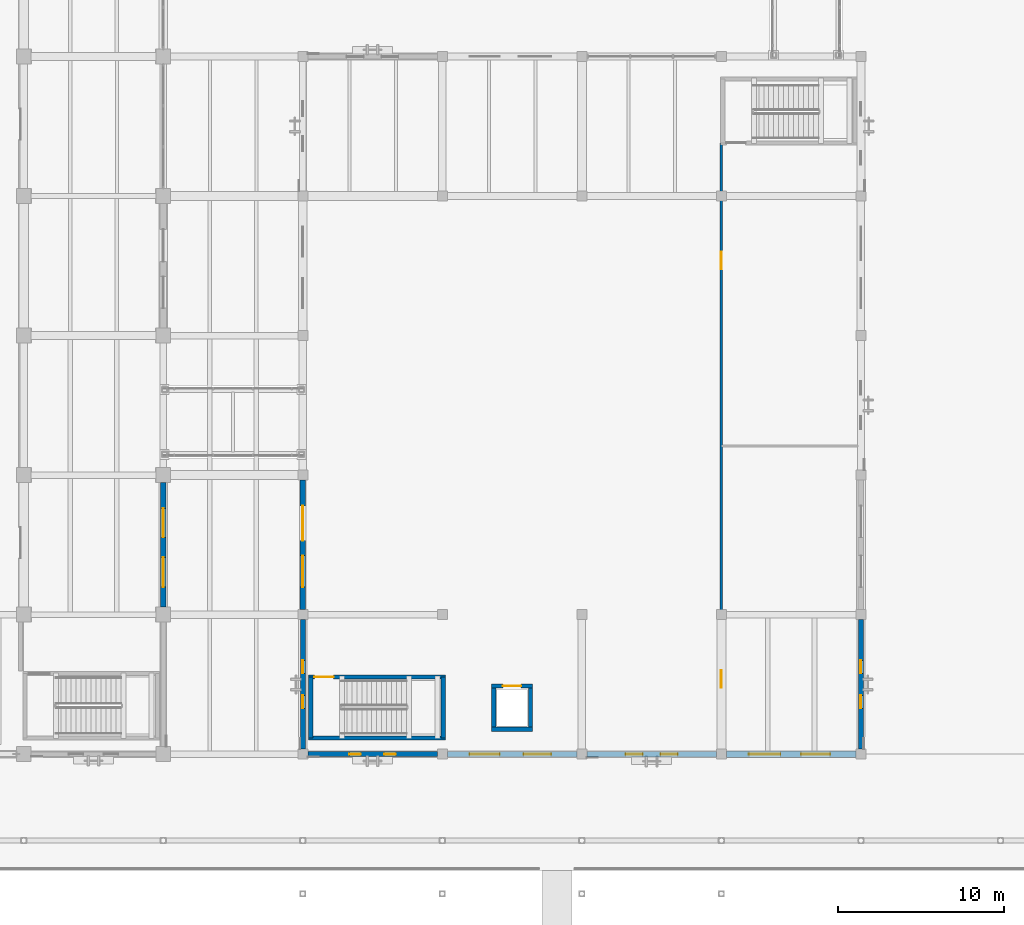
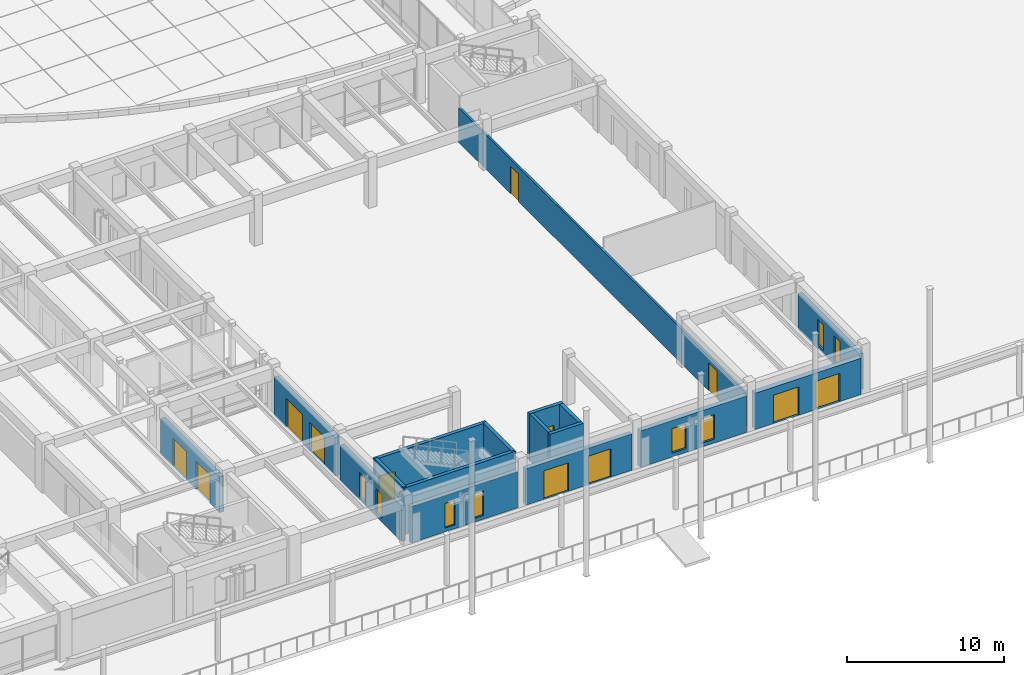
# One storey, part 86 of 135: 17 walls, 12 doors, 8 windows, 20 openings.
"""IFC4 building model written with IfcOpenShell, lengths in metres."""

import ifcopenshell
import ifcopenshell.guid

model = None  # the IFC model being written
_history = None  # IfcOwnerHistory: only IFC2X3 demands one
_inside = {}  # id of a spatial element -> (the spatial element, [elements in it])
_under = {}  # id of a project, library or spatial element -> (it, [spatial elements below it])
_declared = {}  # id of a project -> (the project, [libraries it declares])
_typed = {}  # id of a type object -> (the type object, [elements of that type])
_made_of = {}  # id of a material, layer set ... -> (it, [elements and type objects made of it])


def new_model(schema):
    """Start an empty IFC model of exactly this schema.

    Asked for "IFC4X3", IfcOpenShell would pick the latest addendum, in which some entities
    have other attributes; the version numbers below select the first issue.
    IFC2X3 requires an IfcOwnerHistory on every rooted entity: one is made here for all.
    """
    global model, _history
    if schema == "IFC4X3":
        model = ifcopenshell.file(schema_version=(4, 3, 0, 0))
    else:
        model = ifcopenshell.file(schema=schema)
    _inside.clear()
    _under.clear()
    _declared.clear()
    _typed.clear()
    _made_of.clear()
    _history = None
    if model.schema == "IFC2X3":
        org = make("IfcOrganization", Name="unknown")
        user = make(
            "IfcPersonAndOrganization",
            ThePerson=make("IfcPerson", FamilyName="unknown"),
            TheOrganization=org,
        )
        app = make(
            "IfcApplication",
            ApplicationDeveloper=org,
            Version="unknown",
            ApplicationFullName="unknown",
            ApplicationIdentifier="unknown",
        )
        _history = make(
            "IfcOwnerHistory",
            OwningUser=user,
            OwningApplication=app,
            ChangeAction="ADDED",
            CreationDate=0,
        )
    return model


def make(cls, **values):
    """One entity of the class cls with the attributes given. An attribute that is None is left unset."""
    return model.create_entity(
        cls, **{name: value for name, value in values.items() if value is not None}
    )


def rooted(cls, **values):
    """An entity with a GlobalId (a new one), such as an element, a storey or a relation."""
    return make(cls, GlobalId=ifcopenshell.guid.new(), OwnerHistory=_history, **values)


def si_unit(unit_type, name, prefix=None):
    """IfcSIUnit, for example si_unit("LENGTHUNIT", "METRE", prefix="MILLI")."""
    return make("IfcSIUnit", UnitType=unit_type, Prefix=prefix, Name=name)


def assignment(units):
    """IfcUnitAssignment: the units of a project."""
    return None if units is None else make("IfcUnitAssignment", Units=units)


def point(xyz):
    """IfcCartesianPoint."""
    return None if xyz is None else make("IfcCartesianPoint", Coordinates=xyz)


def direction(xyz):
    """IfcDirection."""
    return None if xyz is None else make("IfcDirection", DirectionRatios=xyz)


def frame(location, z_axis=None, x_axis=None):
    """IfcAxis2Placement3D, a coordinate frame: its origin and axes. An axis left out is left unset."""
    return make(
        "IfcAxis2Placement3D",
        Location=point(location),
        Axis=direction(z_axis),
        RefDirection=direction(x_axis),
    )


def frame_2d(location, x_axis=None):
    """IfcAxis2Placement2D, a coordinate frame in the plane: its origin and x axis."""
    return make(
        "IfcAxis2Placement2D", Location=point(location), RefDirection=direction(x_axis)
    )


def origin():
    """The frame at (0, 0, 0) with its axes left unset."""
    return frame((0.0, 0.0, 0.0))


def place(relative_to, where):
    """IfcLocalPlacement: puts the frame where relative to a parent placement (None: the world)."""
    return make(
        "IfcLocalPlacement", PlacementRelTo=relative_to, RelativePlacement=where
    )


def context(
    kind, dimensions, precision=None, world=None, true_north=None, identifier=None
):
    """IfcGeometricRepresentationContext, for example the 3D "Model" context."""
    return make(
        "IfcGeometricRepresentationContext",
        ContextIdentifier=identifier,
        ContextType=kind,
        CoordinateSpaceDimension=dimensions,
        Precision=precision,
        WorldCoordinateSystem=world,
        TrueNorth=true_north,
    )


def subcontext(parent, identifier, kind, view, scale=None):
    """IfcGeometricRepresentationSubContext, for example "Body" below "Model"."""
    return make(
        "IfcGeometricRepresentationSubContext",
        ContextIdentifier=identifier,
        ContextType=kind,
        ParentContext=parent,
        TargetScale=scale,
        TargetView=view,
    )


def project(units=None, contexts=None):
    """IfcProject with its units and contexts."""
    return rooted(
        "IfcProject",
        Name="project",
        RepresentationContexts=contexts,
        UnitsInContext=assignment(units),
    )


def spatial(cls, under=None, at=None, **own):
    """A site, building, storey or space (cls), placed at a placement, below another one or the project."""
    s = rooted(cls, ObjectPlacement=at, **own)
    if under is not None:
        _under.setdefault(under.id(), (under, []))[1].append(s)
    return s


def profile(cls, at=None, kind="AREA", **sizes):
    """A parametric profile (cls). Its sizes go by their IFC names, for example OverallWidth=200.0."""
    return make(cls, ProfileType=kind, Position=at, **sizes)


def rectangle(**sizes):
    """IfcRectangleProfileDef."""
    return profile("IfcRectangleProfileDef", **sizes)


def extrude(swept, where, along, depth):
    """IfcExtrudedAreaSolid: the profile swept, set in the frame where, extruded along a direction by depth."""
    return make(
        "IfcExtrudedAreaSolid",
        SweptArea=swept,
        Position=where,
        ExtrudedDirection=direction(along),
        Depth=depth,
    )


def shape(context_of_items, identifier, shape_type, items):
    """IfcShapeRepresentation: the items that make up one representation, for example the "Body"."""
    return make(
        "IfcShapeRepresentation",
        ContextOfItems=context_of_items,
        RepresentationIdentifier=identifier,
        RepresentationType=shape_type,
        Items=items,
    )


def material(Name=None, Category=None):
    """IfcMaterial."""
    return make("IfcMaterial", Name=Name, Category=Category)


def layer(
    of_material, thickness, ventilated=None, Name=None, Category=None, Priority=None
):
    """IfcMaterialLayer: one layer of a wall or slab, of a material (None: an air gap)."""
    return make(
        "IfcMaterialLayer",
        Material=of_material,
        LayerThickness=thickness,
        IsVentilated=ventilated,
        Name=Name,
        Category=Category,
        Priority=Priority,
    )


def layer_set(layers, Name=None):
    """IfcMaterialLayerSet."""
    return make("IfcMaterialLayerSet", MaterialLayers=layers, LayerSetName=Name)


def made_of(thing, what):
    """Note that an element or type object is made of a material, layer set ...; save() writes the relation."""
    if what is not None:
        _made_of.setdefault(what.id(), (what, []))[1].append(thing)
    return thing


def type_object(cls, material=None, **own):
    """A type object (cls), such as IfcWallType, which elements share."""
    return made_of(rooted(cls, **own), material)


def element(
    cls,
    number,
    at=None,
    inside=None,
    cuts=None,
    type_object=None,
    material=None,
    context=None,
    identifier="Body",
    shape_type=None,
    held_by="IfcProductDefinitionShape",
    body=None,
    shapes=None,
    **own,
):
    """One element of the class cls, such as IfcWall. Its Tag is "e" and its number.

    at: its placement. inside: the storey or other place that contains it. cuts: it is an
    opening in that element (IfcRelVoidsElement). A single representation is given by context,
    identifier, shape_type and body (its items); several are given by shapes. held_by: the class
    of the entity that holds the representations. save() writes the other relations.
    """
    e = rooted(cls, Tag="e%d" % number, ObjectPlacement=at, **own)
    if body is not None:
        shapes = [shape(context, identifier, shape_type, body)]
    if shapes is not None:
        e.Representation = make(held_by, Representations=shapes)
    if inside is not None:
        _inside.setdefault(inside.id(), (inside, []))[1].append(e)
    if cuts is not None:
        rooted(
            "IfcRelVoidsElement", RelatingBuildingElement=cuts, RelatedOpeningElement=e
        )
    if type_object is not None:
        _typed.setdefault(type_object.id(), (type_object, []))[1].append(e)
    return made_of(e, material)


def fill(opening, filler):
    """IfcRelFillsElement: the door or window that sits in an opening."""
    return rooted(
        "IfcRelFillsElement",
        RelatingOpeningElement=opening,
        RelatedBuildingElement=filler,
    )


def aggregate(whole, parts):
    """IfcRelAggregates: a whole, such as a stair, and the parts it consists of."""
    return rooted("IfcRelAggregates", RelatingObject=whole, RelatedObjects=parts)


def save(model, path):
    """Write the relations noted so far, then the file.

    IfcRelAggregates (storeys below a building ...), IfcRelContainedInSpatialStructure (elements
    in a storey), IfcRelDefinesByType, IfcRelAssociatesMaterial and IfcRelDeclares: one each for
    every whole, place, type object, material and project.
    """
    for whole, parts in _under.values():
        aggregate(whole, parts)
    for where, things in _inside.values():
        rooted(
            "IfcRelContainedInSpatialStructure",
            RelatedElements=things,
            RelatingStructure=where,
        )
    for kind, things in _typed.values():
        rooted("IfcRelDefinesByType", RelatedObjects=things, RelatingType=kind)
    for what, things in _made_of.values():
        rooted("IfcRelAssociatesMaterial", RelatedObjects=things, RelatingMaterial=what)
    for by, libraries in _declared.values():
        rooted("IfcRelDeclares", RelatingContext=by, RelatedDefinitions=libraries)
    model.write(path)


model = new_model("IFC4")

# Units and contexts
model_context = context("Model", 3, precision=1e-05, world=origin(), true_north=direction((0.0, 1.0)))
body_context = subcontext(model_context, "Body", "Model", "MODEL_VIEW")
ifc_project = project(units=[si_unit("LENGTHUNIT", "METRE"), si_unit("AREAUNIT", "SQUARE_METRE"), si_unit("VOLUMEUNIT", "CUBIC_METRE"), si_unit("PLANEANGLEUNIT", "RADIAN"), si_unit("MASSUNIT", "GRAM", prefix="KILO")], contexts=[model_context])

# Site, building, storey
site_placement = place(None, origin())
site = spatial("IfcSite", under=ifc_project, at=site_placement, CompositionType="ELEMENT")
building_placement = place(site_placement, origin())
building = spatial("IfcBuilding", under=site, at=building_placement, Name="Cumbredor Promenade Congress Hotel", CompositionType="ELEMENT")
storey_placement = place(building_placement, origin())
storey = spatial("IfcBuildingStorey", under=building, at=storey_placement, Name="L00", CompositionType="ELEMENT", Elevation=0.0)

# Wall, openings, windows
ifc_material_1 = material(Name="Concrete C40/50", Category="concrete")
ifc_layer_1 = layer(ifc_material_1, 0.300048828125, Name="Concrete C40/50", Category="concrete")
ifc_layer_set_1 = layer_set([ifc_layer_1], Name="Concrete C40/50")
wall_type_1 = type_object("IfcWallType", Name="WL-EXT-300", PredefinedType="SOLIDWALL", material=ifc_layer_set_1)
wall_1_placement = place(storey_placement, frame((75.90087890625, 8.39990234375, 0.0), z_axis=(0.0, 0.0, 1.0), x_axis=(1.0, 0.0, 0.0)))
wall_1 = element("IfcWall", 1, at=wall_1_placement, inside=storey, type_object=wall_type_1, Name="L00 Thermal Spa and Hydrotherapy Pavilion South Envelope Wall 1", PredefinedType="SOLIDWALL", context=body_context, shape_type="SweptSolid", body=[
    extrude(rectangle(XDim=7.798095703125, YDim=0.300048828125, at=frame_2d((3.89892578125, 0.0))), origin(), (0.0, 0.0, 1.0), 2.824951171875),
])
opening_1_placement = place(wall_1_placement, frame((2.4990234375, 0.0, 0.300048828125)))
opening_1 = element("IfcOpeningElement", 2, at=opening_1_placement, cuts=wall_1, Name="Opening WN-65", PredefinedType="OPENING", context=body_context, shape_type="SweptSolid", body=[
    extrude(rectangle(XDim=0.699951171875, YDim=1.89990234375, at=frame_2d((0.35009765625, 0.949951171875))), frame((0.0, 0.16015625, 0.0), z_axis=(0.0, -1.0, 0.0), x_axis=(1.0, 0.0, 0.0)), (0.0, 0.0, 1.0), 0.320068359375),
])
opening_2_placement = place(wall_1_placement, frame((4.59912109375, 0.0, 0.300048828125)))
opening_2 = element("IfcOpeningElement", 3, at=opening_2_placement, cuts=wall_1, Name="Opening WN-65", PredefinedType="OPENING", context=body_context, shape_type="SweptSolid", body=[
    extrude(rectangle(XDim=0.699951171875, YDim=1.89990234375, at=frame_2d((0.35009765625, 0.949951171875))), frame((0.0, 0.16015625, 0.0), z_axis=(0.0, -1.0, 0.0), x_axis=(1.0, 0.0, 0.0)), (0.0, 0.0, 1.0), 0.320068359375),
])
ifc_material_2 = material(Name="Thermally broken anodized aluminium and low-E glass", Category="aluminium")
window_type_1 = type_object("IfcWindowType", Name="Vertical Slot Window WN-65 700x1900", PartitioningType="SINGLE_PANEL", PredefinedType="WINDOW", material=ifc_material_2)
window_1_placement = place(opening_1_placement, origin())
window_1 = element("IfcWindow", 4, at=window_1_placement, inside=storey, type_object=window_type_1, Name="L00 Vertical Slot Window 0021", OverallHeight=1.89990234375, OverallWidth=0.699951171875, PartitioningType="SINGLE_PANEL", PredefinedType="WINDOW", context=body_context, shape_type="SweptSolid", body=[
    extrude(rectangle(XDim=0.699951171875, YDim=1.89990234375, at=frame_2d((0.35009765625, 0.949951171875))), frame((0.0, 0.030029296875, 0.0), z_axis=(0.0, -1.0, 0.0), x_axis=(1.0, 0.0, 0.0)), (0.0, 0.0, 1.0), 0.06005859375),
])
fill(opening_1, window_1)
window_2_placement = place(opening_2_placement, origin())
window_2 = element("IfcWindow", 5, at=window_2_placement, inside=storey, type_object=window_type_1, Name="L00 Vertical Slot Window 0022", OverallHeight=1.89990234375, OverallWidth=0.699951171875, PartitioningType="SINGLE_PANEL", PredefinedType="WINDOW", context=body_context, shape_type="SweptSolid", body=[
    extrude(rectangle(XDim=0.699951171875, YDim=1.89990234375, at=frame_2d((0.35009765625, 0.949951171875))), frame((0.0, 0.030029296875, 0.0), z_axis=(0.0, -1.0, 0.0), x_axis=(1.0, 0.0, 0.0)), (0.0, 0.0, 1.0), 0.06005859375),
])
fill(opening_2, window_2)

wall_2_placement = place(storey_placement, frame((75.60009765625, 8.700927734375, 0.0), z_axis=(0.0, 0.0, 1.0), x_axis=(0.0, 1.0, 0.0)))
wall_2 = element("IfcWall", 6, at=wall_2_placement, inside=storey, type_object=wall_type_1, Name="L00 Thermal Spa and Hydrotherapy Pavilion West Envelope Wall 1", PredefinedType="SOLIDWALL", context=body_context, shape_type="SweptSolid", body=[
    extrude(rectangle(XDim=7.798095703125, YDim=0.300048828125, at=frame_2d((3.89892578125, 0.0))), origin(), (0.0, 0.0, 1.0), 2.77490234375),
])
opening_3_placement = place(wall_2_placement, frame((2.458984375, 0.0, 0.300048828125)))
opening_3 = element("IfcOpeningElement", 7, at=opening_3_placement, cuts=wall_2, Name="Opening WN-46", PredefinedType="OPENING", context=body_context, shape_type="SweptSolid", body=[
    extrude(rectangle(XDim=0.780029296875, YDim=1.85009765625, at=frame_2d((0.39013671875, 0.925048828125))), frame((0.0, 0.16015625, 0.0), z_axis=(0.0, -1.0, 0.0), x_axis=(1.0, 0.0, 0.0)), (0.0, 0.0, 1.0), 0.320068359375),
])
opening_4_placement = place(wall_2_placement, frame((4.55908203125, 0.0, 0.300048828125)))
opening_4 = element("IfcOpeningElement", 8, at=opening_4_placement, cuts=wall_2, Name="Opening WN-46", PredefinedType="OPENING", context=body_context, shape_type="SweptSolid", body=[
    extrude(rectangle(XDim=0.780029296875, YDim=1.85009765625, at=frame_2d((0.39013671875, 0.925048828125))), frame((0.0, 0.16015625, 0.0), z_axis=(0.0, -1.0, 0.0), x_axis=(1.0, 0.0, 0.0)), (0.0, 0.0, 1.0), 0.320068359375),
])
window_type_2 = type_object("IfcWindowType", Name="Vertical Slot Window WN-46 780x1850", PartitioningType="SINGLE_PANEL", PredefinedType="WINDOW", material=ifc_material_2)
window_3_placement = place(opening_3_placement, origin())
window_3 = element("IfcWindow", 9, at=window_3_placement, inside=storey, type_object=window_type_2, Name="L00 Vertical Slot Window 0027", OverallHeight=1.85009765625, OverallWidth=0.780029296875, PartitioningType="SINGLE_PANEL", PredefinedType="WINDOW", context=body_context, shape_type="SweptSolid", body=[
    extrude(rectangle(XDim=0.780029296875, YDim=1.85009765625, at=frame_2d((0.39013671875, 0.925048828125))), frame((0.0, 0.030029296875, 0.0), z_axis=(0.0, -1.0, 0.0), x_axis=(1.0, 0.0, 0.0)), (0.0, 0.0, 1.0), 0.06005859375),
])
fill(opening_3, window_3)
window_4_placement = place(opening_4_placement, origin())
window_4 = element("IfcWindow", 10, at=window_4_placement, inside=storey, type_object=window_type_2, Name="L00 Vertical Slot Window 0028", OverallHeight=1.85009765625, OverallWidth=0.780029296875, PartitioningType="SINGLE_PANEL", PredefinedType="WINDOW", context=body_context, shape_type="SweptSolid", body=[
    extrude(rectangle(XDim=0.780029296875, YDim=1.85009765625, at=frame_2d((0.39013671875, 0.925048828125))), frame((0.0, 0.030029296875, 0.0), z_axis=(0.0, -1.0, 0.0), x_axis=(1.0, 0.0, 0.0)), (0.0, 0.0, 1.0), 0.06005859375),
])
fill(opening_4, window_4)

wall_3_placement = place(storey_placement, frame((109.199951171875, 8.700927734375, 0.0), z_axis=(0.0, 0.0, 1.0), x_axis=(0.0, 1.0, 0.0)))
wall_3 = element("IfcWall", 11, at=wall_3_placement, inside=storey, type_object=wall_type_1, Name="L00 Thermal Spa and Hydrotherapy Pavilion East Envelope Wall 1", PredefinedType="SOLIDWALL", context=body_context, shape_type="SweptSolid", body=[
    extrude(rectangle(XDim=7.798095703125, YDim=0.300048828125, at=frame_2d((3.89892578125, 0.0))), origin(), (0.0, 0.0, 1.0), 2.77490234375),
])
opening_5_placement = place(wall_3_placement, frame((2.458984375, 0.0, 0.300048828125)))
opening_5 = element("IfcOpeningElement", 12, at=opening_5_placement, cuts=wall_3, Name="Opening WN-50", PredefinedType="OPENING", context=body_context, shape_type="SweptSolid", body=[
    extrude(rectangle(XDim=0.780029296875, YDim=1.949951171875, at=frame_2d((0.39013671875, 0.97509765625))), frame((0.0, 0.16015625, 0.0), z_axis=(0.0, -1.0, 0.0), x_axis=(1.0, 0.0, 0.0)), (0.0, 0.0, 1.0), 0.320068359375),
])
opening_6_placement = place(wall_3_placement, frame((4.55908203125, 0.0, 0.300048828125)))
opening_6 = element("IfcOpeningElement", 13, at=opening_6_placement, cuts=wall_3, Name="Opening WN-50", PredefinedType="OPENING", context=body_context, shape_type="SweptSolid", body=[
    extrude(rectangle(XDim=0.780029296875, YDim=1.949951171875, at=frame_2d((0.39013671875, 0.97509765625))), frame((0.0, 0.16015625, 0.0), z_axis=(0.0, -1.0, 0.0), x_axis=(1.0, 0.0, 0.0)), (0.0, 0.0, 1.0), 0.320068359375),
])
window_type_3 = type_object("IfcWindowType", Name="Vertical Slot Window WN-50 780x1950", PartitioningType="SINGLE_PANEL", PredefinedType="WINDOW", material=ifc_material_2)
window_5_placement = place(opening_5_placement, origin())
window_5 = element("IfcWindow", 14, at=window_5_placement, inside=storey, type_object=window_type_3, Name="L00 Vertical Slot Window 0031", OverallHeight=1.949951171875, OverallWidth=0.780029296875, PartitioningType="SINGLE_PANEL", PredefinedType="WINDOW", context=body_context, shape_type="SweptSolid", body=[
    extrude(rectangle(XDim=0.780029296875, YDim=1.949951171875, at=frame_2d((0.39013671875, 0.97509765625))), frame((0.0, 0.030029296875, 0.0), z_axis=(0.0, -1.0, 0.0), x_axis=(1.0, 0.0, 0.0)), (0.0, 0.0, 1.0), 0.06005859375),
])
fill(opening_5, window_5)
window_6_placement = place(opening_6_placement, origin())
window_6 = element("IfcWindow", 15, at=window_6_placement, inside=storey, type_object=window_type_3, Name="L00 Vertical Slot Window 0032", OverallHeight=1.949951171875, OverallWidth=0.780029296875, PartitioningType="SINGLE_PANEL", PredefinedType="WINDOW", context=body_context, shape_type="SweptSolid", body=[
    extrude(rectangle(XDim=0.780029296875, YDim=1.949951171875, at=frame_2d((0.39013671875, 0.97509765625))), frame((0.0, 0.030029296875, 0.0), z_axis=(0.0, -1.0, 0.0), x_axis=(1.0, 0.0, 0.0)), (0.0, 0.0, 1.0), 0.06005859375),
])
fill(opening_6, window_6)

# Wall, openings, doors
ifc_layer_2 = layer(ifc_material_1, 0.324951171875, Name="Concrete C40/50", Category="concrete")
ifc_layer_set_2 = layer_set([ifc_layer_2], Name="Concrete C40/50")
wall_type_2 = type_object("IfcWallType", Name="WL-EXT-325", PredefinedType="SOLIDWALL", material=ifc_layer_set_2)
wall_4_placement = place(storey_placement, frame((67.199951171875, 17.2509765625, 0.0), z_axis=(0.0, 0.0, 1.0), x_axis=(0.0, 1.0, 0.0)))
wall_4 = element("IfcWall", 16, at=wall_4_placement, inside=storey, type_object=wall_type_2, Name="L00 Plenary Congress Hall East Envelope Wall 2", PredefinedType="SOLIDWALL", context=body_context, shape_type="SweptSolid", body=[
    extrude(rectangle(XDim=7.498046875, YDim=0.324951171875, at=frame_2d((3.7490234375, 0.0))), origin(), (0.0, 0.0, 1.0), 2.77490234375),
])
opening_7_placement = place(wall_4_placement, frame((1.198974609375, 0.0, 0.0)))
opening_7 = element("IfcOpeningElement", 17, at=opening_7_placement, cuts=wall_4, Name="Opening EX-01", PredefinedType="OPENING", context=body_context, shape_type="SweptSolid", body=[
    extrude(rectangle(XDim=1.800048828125, YDim=2.199951171875, at=frame_2d((0.89990234375, 1.10009765625))), frame((0.0, 0.17236328125, 0.0), z_axis=(0.0, -1.0, 0.0), x_axis=(1.0, 0.0, 0.0)), (0.0, 0.0, 1.0), 0.344970703125),
])
opening_8_placement = place(wall_4_placement, frame((4.197998046875, 0.0, 0.0)))
opening_8 = element("IfcOpeningElement", 18, at=opening_8_placement, cuts=wall_4, Name="Opening EX-09", PredefinedType="OPENING", context=body_context, shape_type="SweptSolid", body=[
    extrude(rectangle(XDim=1.75, YDim=2.199951171875, at=frame_2d((0.875, 1.10009765625))), frame((0.0, 0.17236328125, 0.0), z_axis=(0.0, -1.0, 0.0), x_axis=(1.0, 0.0, 0.0)), (0.0, 0.0, 1.0), 0.344970703125),
])
ifc_material_3 = material(Name="Thermally broken anodized aluminium and laminated safety glass", Category="aluminium")
door_type_1 = type_object("IfcDoorType", Name="EXT-DR-EXIT-1750x2200", OperationType="DOUBLE_DOOR_SINGLE_SWING", PredefinedType="DOOR", material=ifc_material_3)
door_1_placement = place(opening_8_placement, frame((1.75, 0.0, 0.0), z_axis=(0.0, 0.0, 1.0), x_axis=(-1.0, 0.0, 0.0)))
door_1 = element("IfcDoor", 19, at=door_1_placement, inside=storey, type_object=door_type_1, Name="L00 Plenary Congress Hall East Final Exit Door 06.2", OperationType="DOUBLE_DOOR_SINGLE_SWING", OverallHeight=2.199951171875, OverallWidth=1.75, PredefinedType="DOOR", context=body_context, shape_type="SweptSolid", body=[
    extrude(rectangle(XDim=1.75, YDim=2.199951171875, at=frame_2d((0.875, 1.10009765625))), frame((0.0, 0.02490234375, 0.0), z_axis=(0.0, -1.0, 0.0), x_axis=(1.0, 0.0, 0.0)), (0.0, 0.0, 1.0), 0.050048828125),
])
fill(opening_8, door_1)
door_type_2 = type_object("IfcDoorType", Name="EXT-DR-EXIT-1800x2200", OperationType="DOUBLE_DOOR_SINGLE_SWING", PredefinedType="DOOR", material=ifc_material_3)
door_2_placement = place(opening_7_placement, frame((1.800048828125, 0.0, 0.0), z_axis=(0.0, 0.0, 1.0), x_axis=(-1.0, 0.0, 0.0)))
door_2 = element("IfcDoor", 20, at=door_2_placement, inside=storey, type_object=door_type_2, Name="L00 Plenary Congress Hall East Final Exit Door 06.1", OperationType="DOUBLE_DOOR_SINGLE_SWING", OverallHeight=2.199951171875, OverallWidth=1.800048828125, PredefinedType="DOOR", context=body_context, shape_type="SweptSolid", body=[
    extrude(rectangle(XDim=1.800048828125, YDim=2.199951171875, at=frame_2d((0.89990234375, 1.10009765625))), frame((0.0, 0.02490234375, 0.0), z_axis=(0.0, -1.0, 0.0), x_axis=(1.0, 0.0, 0.0)), (0.0, 0.0, 1.0), 0.050048828125),
])
fill(opening_7, door_2)

wall_5_placement = place(storey_placement, frame((84.301025390625, 8.39990234375, 0.0), z_axis=(0.0, 0.0, 1.0), x_axis=(1.0, 0.0, 0.0)))
wall_5 = element("IfcWall", 21, at=wall_5_placement, inside=storey, type_object=wall_type_2, Name="L00 Thermal Spa and Hydrotherapy Pavilion South Envelope Wall 2", PredefinedType="SOLIDWALL", context=body_context, shape_type="SweptSolid", body=[
    extrude(rectangle(XDim=7.798095703125, YDim=0.324951171875, at=frame_2d((3.89892578125, 0.0))), origin(), (0.0, 0.0, 1.0), 2.824951171875),
])
opening_9_placement = place(wall_5_placement, frame((1.34912109375, 0.0, 0.0)))
opening_9 = element("IfcOpeningElement", 22, at=opening_9_placement, cuts=wall_5, Name="Opening EX-01", PredefinedType="OPENING", context=body_context, shape_type="SweptSolid", body=[
    extrude(rectangle(XDim=1.800048828125, YDim=2.199951171875, at=frame_2d((0.89990234375, 1.10009765625))), frame((0.0, 0.17236328125, 0.0), z_axis=(0.0, -1.0, 0.0), x_axis=(1.0, 0.0, 0.0)), (0.0, 0.0, 1.0), 0.344970703125),
])
opening_10_placement = place(wall_5_placement, frame((4.597900390625, 0.0, 0.0)))
opening_10 = element("IfcOpeningElement", 23, at=opening_10_placement, cuts=wall_5, Name="Opening EX-08", PredefinedType="OPENING", context=body_context, shape_type="SweptSolid", body=[
    extrude(rectangle(XDim=1.64990234375, YDim=2.199951171875, at=frame_2d((0.824951171875, 1.10009765625))), frame((0.0, 0.17236328125, 0.0), z_axis=(0.0, -1.0, 0.0), x_axis=(1.0, 0.0, 0.0)), (0.0, 0.0, 1.0), 0.344970703125),
])
door_type_3 = type_object("IfcDoorType", Name="EXT-DR-EXIT-1650x2200", OperationType="DOUBLE_DOOR_SINGLE_SWING", PredefinedType="DOOR", material=ifc_material_3)
door_3_placement = place(opening_10_placement, frame((1.64990234375, 0.0, 0.0), z_axis=(0.0, 0.0, 1.0), x_axis=(-1.0, 0.0, 0.0)))
door_3 = element("IfcDoor", 24, at=door_3_placement, inside=storey, type_object=door_type_3, Name="L00 Thermal Spa and Hydrotherapy Pavilion South Final Exit Door 14.2", OperationType="DOUBLE_DOOR_SINGLE_SWING", OverallHeight=2.199951171875, OverallWidth=1.64990234375, PredefinedType="DOOR", context=body_context, shape_type="SweptSolid", body=[
    extrude(rectangle(XDim=1.64990234375, YDim=2.199951171875, at=frame_2d((0.824951171875, 1.10009765625))), frame((0.0, 0.02490234375, 0.0), z_axis=(0.0, -1.0, 0.0), x_axis=(1.0, 0.0, 0.0)), (0.0, 0.0, 1.0), 0.050048828125),
])
fill(opening_10, door_3)
door_4_placement = place(opening_9_placement, frame((1.800048828125, 0.0, 0.0), z_axis=(0.0, 0.0, 1.0), x_axis=(-1.0, 0.0, 0.0)))
door_4 = element("IfcDoor", 25, at=door_4_placement, inside=storey, type_object=door_type_2, Name="L00 Thermal Spa and Hydrotherapy Pavilion South Final Exit Door 14.1", OperationType="DOUBLE_DOOR_SINGLE_SWING", OverallHeight=2.199951171875, OverallWidth=1.800048828125, PredefinedType="DOOR", context=body_context, shape_type="SweptSolid", body=[
    extrude(rectangle(XDim=1.800048828125, YDim=2.199951171875, at=frame_2d((0.89990234375, 1.10009765625))), frame((0.0, 0.02490234375, 0.0), z_axis=(0.0, -1.0, 0.0), x_axis=(1.0, 0.0, 0.0)), (0.0, 0.0, 1.0), 0.050048828125),
])
fill(opening_9, door_4)

wall_6_placement = place(storey_placement, frame((75.60009765625, 17.10107421875, 0.0), z_axis=(0.0, 0.0, 1.0), x_axis=(0.0, 1.0, 0.0)))
wall_6 = element("IfcWall", 26, at=wall_6_placement, inside=storey, type_object=wall_type_2, Name="L00 Thermal Spa and Hydrotherapy Pavilion West Envelope Wall 2", PredefinedType="SOLIDWALL", context=body_context, shape_type="SweptSolid", body=[
    extrude(rectangle(XDim=7.7978515625, YDim=0.324951171875, at=frame_2d((3.89892578125, 0.0))), origin(), (0.0, 0.0, 1.0), 2.97509765625),
])
opening_11_placement = place(wall_6_placement, frame((1.34912109375, 0.0, 0.0)))
opening_11 = element("IfcOpeningElement", 27, at=opening_11_placement, cuts=wall_6, Name="Opening EX-02", PredefinedType="OPENING", context=body_context, shape_type="SweptSolid", body=[
    extrude(rectangle(XDim=1.89990234375, YDim=2.199951171875, at=frame_2d((0.949951171875, 1.10009765625))), frame((0.0, 0.17236328125, 0.0), z_axis=(0.0, -1.0, 0.0), x_axis=(1.0, 0.0, 0.0)), (0.0, 0.0, 1.0), 0.344970703125),
])
opening_12_placement = place(wall_6_placement, frame((4.14794921875, 0.0, 0.0)))
opening_12 = element("IfcOpeningElement", 28, at=opening_12_placement, cuts=wall_6, Name="Opening EX-11", PredefinedType="OPENING", context=body_context, shape_type="SweptSolid", body=[
    extrude(rectangle(XDim=2.10009765625, YDim=2.25, at=frame_2d((1.050048828125, 1.125))), frame((0.0, 0.17236328125, 0.0), z_axis=(0.0, -1.0, 0.0), x_axis=(1.0, 0.0, 0.0)), (0.0, 0.0, 1.0), 0.344970703125),
])
door_type_4 = type_object("IfcDoorType", Name="EXT-DR-EXIT-1900x2200", OperationType="DOUBLE_DOOR_SINGLE_SWING", PredefinedType="DOOR", material=ifc_material_3)
door_5_placement = place(opening_11_placement, origin())
door_5 = element("IfcDoor", 29, at=door_5_placement, inside=storey, type_object=door_type_4, Name="L00 Thermal Spa and Hydrotherapy Pavilion West Final Exit Door 17.1", OperationType="DOUBLE_DOOR_SINGLE_SWING", OverallHeight=2.199951171875, OverallWidth=1.89990234375, PredefinedType="DOOR", context=body_context, shape_type="SweptSolid", body=[
    extrude(rectangle(XDim=1.89990234375, YDim=2.199951171875, at=frame_2d((0.949951171875, 1.10009765625))), frame((0.0, 0.02490234375, 0.0), z_axis=(0.0, -1.0, 0.0), x_axis=(1.0, 0.0, 0.0)), (0.0, 0.0, 1.0), 0.050048828125),
])
fill(opening_11, door_5)
door_type_5 = type_object("IfcDoorType", Name="EXT-DR-EXIT-2100x2250", OperationType="DOUBLE_DOOR_SINGLE_SWING", PredefinedType="DOOR", material=ifc_material_3)
door_6_placement = place(opening_12_placement, origin())
door_6 = element("IfcDoor", 30, at=door_6_placement, inside=storey, type_object=door_type_5, Name="L00 Thermal Spa and Hydrotherapy Pavilion West Final Exit Door 17.2", OperationType="DOUBLE_DOOR_SINGLE_SWING", OverallHeight=2.25, OverallWidth=2.10009765625, PredefinedType="DOOR", context=body_context, shape_type="SweptSolid", body=[
    extrude(rectangle(XDim=2.10009765625, YDim=2.25, at=frame_2d((1.050048828125, 1.125))), frame((0.0, 0.02490234375, 0.0), z_axis=(0.0, -1.0, 0.0), x_axis=(1.0, 0.0, 0.0)), (0.0, 0.0, 1.0), 0.050048828125),
])
fill(opening_12, door_6)

# Wall, openings, windows
ifc_layer_3 = layer(ifc_material_1, 0.35009765625, Name="Concrete C40/50", Category="concrete")
ifc_layer_set_3 = layer_set([ifc_layer_3], Name="Concrete C40/50")
wall_type_3 = type_object("IfcWallType", Name="WL-EXT-350", PredefinedType="SOLIDWALL", material=ifc_layer_set_3)
wall_7_placement = place(storey_placement, frame((92.700927734375, 8.39990234375, 0.0), z_axis=(0.0, 0.0, 1.0), x_axis=(1.0, 0.0, 0.0)))
wall_7 = element("IfcWall", 31, at=wall_7_placement, inside=storey, type_object=wall_type_3, Name="L00 Thermal Spa and Hydrotherapy Pavilion South Envelope Wall 3", PredefinedType="SOLIDWALL", context=body_context, shape_type="SweptSolid", body=[
    extrude(rectangle(XDim=7.798095703125, YDim=0.35009765625, at=frame_2d((3.89892578125, 0.0))), origin(), (0.0, 0.0, 1.0), 2.824951171875),
])
opening_13_placement = place(wall_7_placement, frame((2.339111328125, 0.0, 0.300048828125)))
opening_13 = element("IfcOpeningElement", 32, at=opening_13_placement, cuts=wall_7, Name="Opening WN-69", PredefinedType="OPENING", context=body_context, shape_type="SweptSolid", body=[
    extrude(rectangle(XDim=1.02001953125, YDim=1.89990234375, at=frame_2d((0.510009765625, 0.949951171875))), frame((0.0, 0.18505859375, 0.0), z_axis=(0.0, -1.0, 0.0), x_axis=(1.0, 0.0, 0.0)), (0.0, 0.0, 1.0), 0.3701171875),
])
opening_14_placement = place(wall_7_placement, frame((4.43896484375, 0.0, 0.300048828125)))
opening_14 = element("IfcOpeningElement", 33, at=opening_14_placement, cuts=wall_7, Name="Opening WN-69", PredefinedType="OPENING", context=body_context, shape_type="SweptSolid", body=[
    extrude(rectangle(XDim=1.02001953125, YDim=1.89990234375, at=frame_2d((0.510009765625, 0.949951171875))), frame((0.0, 0.18505859375, 0.0), z_axis=(0.0, -1.0, 0.0), x_axis=(1.0, 0.0, 0.0)), (0.0, 0.0, 1.0), 0.3701171875),
])
window_type_4 = type_object("IfcWindowType", Name="Vertical Slot Window WN-69 1020x1900", PartitioningType="SINGLE_PANEL", PredefinedType="WINDOW", material=ifc_material_2)
window_7_placement = place(opening_13_placement, origin())
window_7 = element("IfcWindow", 34, at=window_7_placement, inside=storey, type_object=window_type_4, Name="L00 Vertical Slot Window 0023", OverallHeight=1.89990234375, OverallWidth=1.02001953125, PartitioningType="SINGLE_PANEL", PredefinedType="WINDOW", context=body_context, shape_type="SweptSolid", body=[
    extrude(rectangle(XDim=1.02001953125, YDim=1.89990234375, at=frame_2d((0.510009765625, 0.949951171875))), frame((0.0, 0.030029296875, 0.0), z_axis=(0.0, -1.0, 0.0), x_axis=(1.0, 0.0, 0.0)), (0.0, 0.0, 1.0), 0.06005859375),
])
fill(opening_13, window_7)
window_8_placement = place(opening_14_placement, origin())
window_8 = element("IfcWindow", 35, at=window_8_placement, inside=storey, type_object=window_type_4, Name="L00 Vertical Slot Window 0024", OverallHeight=1.89990234375, OverallWidth=1.02001953125, PartitioningType="SINGLE_PANEL", PredefinedType="WINDOW", context=body_context, shape_type="SweptSolid", body=[
    extrude(rectangle(XDim=1.02001953125, YDim=1.89990234375, at=frame_2d((0.510009765625, 0.949951171875))), frame((0.0, 0.030029296875, 0.0), z_axis=(0.0, -1.0, 0.0), x_axis=(1.0, 0.0, 0.0)), (0.0, 0.0, 1.0), 0.06005859375),
])
fill(opening_14, window_8)

# Wall, openings, doors
ifc_layer_4 = layer(ifc_material_1, 0.3798828125, Name="Concrete C40/50", Category="concrete")
ifc_layer_set_4 = layer_set([ifc_layer_4], Name="Concrete C40/50")
wall_type_4 = type_object("IfcWallType", Name="WL-EXT-380", PredefinedType="SOLIDWALL", material=ifc_layer_set_4)
wall_8_placement = place(storey_placement, frame((101.10107421875, 8.39990234375, 0.0), z_axis=(0.0, 0.0, 1.0), x_axis=(1.0, 0.0, 0.0)))
wall_8 = element("IfcWall", 36, at=wall_8_placement, inside=storey, type_object=wall_type_4, Name="L00 Thermal Spa and Hydrotherapy Pavilion South Envelope Wall 4", PredefinedType="SOLIDWALL", context=body_context, shape_type="SweptSolid", body=[
    extrude(rectangle(XDim=7.7978515625, YDim=0.3798828125, at=frame_2d((3.89892578125, 0.0))), origin(), (0.0, 0.0, 1.0), 2.824951171875),
])
opening_15_placement = place(wall_8_placement, frame((1.34912109375, 0.0, 0.0)))
opening_15 = element("IfcOpeningElement", 37, at=opening_15_placement, cuts=wall_8, Name="Opening EX-02", PredefinedType="OPENING", context=body_context, shape_type="SweptSolid", body=[
    extrude(rectangle(XDim=1.89990234375, YDim=2.199951171875, at=frame_2d((0.949951171875, 1.10009765625))), frame((0.0, 0.199951171875, 0.0), z_axis=(0.0, -1.0, 0.0), x_axis=(1.0, 0.0, 0.0)), (0.0, 0.0, 1.0), 0.39990234375),
])
opening_16_placement = place(wall_8_placement, frame((4.498046875, 0.0, 0.0)))
opening_16 = element("IfcOpeningElement", 38, at=opening_16_placement, cuts=wall_8, Name="Opening EX-09", PredefinedType="OPENING", context=body_context, shape_type="SweptSolid", body=[
    extrude(rectangle(XDim=1.75, YDim=2.199951171875, at=frame_2d((0.875, 1.10009765625))), frame((0.0, 0.199951171875, 0.0), z_axis=(0.0, -1.0, 0.0), x_axis=(1.0, 0.0, 0.0)), (0.0, 0.0, 1.0), 0.39990234375),
])
door_7_placement = place(opening_16_placement, frame((1.75, 0.0, 0.0), z_axis=(0.0, 0.0, 1.0), x_axis=(-1.0, 0.0, 0.0)))
door_7 = element("IfcDoor", 39, at=door_7_placement, inside=storey, type_object=door_type_1, Name="L00 Thermal Spa and Hydrotherapy Pavilion South Final Exit Door 15.2", OperationType="DOUBLE_DOOR_SINGLE_SWING", OverallHeight=2.199951171875, OverallWidth=1.75, PredefinedType="DOOR", context=body_context, shape_type="SweptSolid", body=[
    extrude(rectangle(XDim=1.75, YDim=2.199951171875, at=frame_2d((0.875, 1.10009765625))), frame((0.0, 0.02490234375, 0.0), z_axis=(0.0, -1.0, 0.0), x_axis=(1.0, 0.0, 0.0)), (0.0, 0.0, 1.0), 0.050048828125),
])
fill(opening_16, door_7)
door_8_placement = place(opening_15_placement, frame((1.89990234375, 0.0, 0.0), z_axis=(0.0, 0.0, 1.0), x_axis=(-1.0, 0.0, 0.0)))
door_8 = element("IfcDoor", 40, at=door_8_placement, inside=storey, type_object=door_type_4, Name="L00 Thermal Spa and Hydrotherapy Pavilion South Final Exit Door 15.1", OperationType="DOUBLE_DOOR_SINGLE_SWING", OverallHeight=2.199951171875, OverallWidth=1.89990234375, PredefinedType="DOOR", context=body_context, shape_type="SweptSolid", body=[
    extrude(rectangle(XDim=1.89990234375, YDim=2.199951171875, at=frame_2d((0.949951171875, 1.10009765625))), frame((0.0, 0.02490234375, 0.0), z_axis=(0.0, -1.0, 0.0), x_axis=(1.0, 0.0, 0.0)), (0.0, 0.0, 1.0), 0.050048828125),
])
fill(opening_15, door_8)

ifc_material_4 = material(Name="Acoustic gypsum partition on steel studs", Category="steel")
ifc_layer_5 = layer(ifc_material_4, 0.14990234375, Name="Acoustic gypsum partition on steel studs", Category="steel")
ifc_layer_set_5 = layer_set([ifc_layer_5], Name="Acoustic gypsum partition on steel studs")
wall_type_5 = type_object("IfcWallType", Name="WL-PART-150", PredefinedType="PARTITIONING", material=ifc_layer_set_5)
wall_9_placement = place(storey_placement, frame((100.800048828125, 8.800048828125, 0.0), z_axis=(0.0, 0.0, 1.0), x_axis=(0.0, 1.0, 0.0)))
wall_9 = element("IfcWall", 41, at=wall_9_placement, inside=storey, type_object=wall_type_5, Name="L00 Interior Partition W-L00-V3-1", PredefinedType="PARTITIONING", context=body_context, shape_type="SweptSolid", body=[
    extrude(rectangle(XDim=36.39990234375, YDim=0.14990234375, at=frame_2d((18.199951171875, 0.0))), origin(), (0.0, 0.0, 1.0), 2.675048828125),
])
opening_17_placement = place(wall_9_placement, frame((3.60009765625, 0.0, 0.0)))
opening_17 = element("IfcOpeningElement", 42, at=opening_17_placement, cuts=wall_9, Name="Opening ID-04", PredefinedType="OPENING", context=body_context, shape_type="SweptSolid", body=[
    extrude(rectangle(XDim=1.050048828125, YDim=2.14990234375, at=frame_2d((0.52490234375, 1.074951171875))), frame((0.0, 0.0849609375, 0.0), z_axis=(0.0, -1.0, 0.0), x_axis=(1.0, 0.0, 0.0)), (0.0, 0.0, 1.0), 0.169921875),
])
opening_18_placement = place(wall_9_placement, frame((28.800048828125, 0.0, 0.0)))
opening_18 = element("IfcOpeningElement", 43, at=opening_18_placement, cuts=wall_9, Name="Opening ID-04", PredefinedType="OPENING", context=body_context, shape_type="SweptSolid", body=[
    extrude(rectangle(XDim=1.050048828125, YDim=2.14990234375, at=frame_2d((0.52490234375, 1.074951171875))), frame((0.0, 0.0849609375, 0.0), z_axis=(0.0, -1.0, 0.0), x_axis=(1.0, 0.0, 0.0)), (0.0, 0.0, 1.0), 0.169921875),
])
ifc_material_5 = material(Name="Kiln-dried tropical hardwood", Category="wood")
door_type_6 = type_object("IfcDoorType", Name="DR-ACC-1050", OperationType="NOTDEFINED", PredefinedType="DOOR", material=ifc_material_5)
door_9_placement = place(opening_17_placement, origin())
door_9 = element("IfcDoor", 44, at=door_9_placement, inside=storey, type_object=door_type_6, Name="L00 Interior Door W-L00-V3-1-01", OperationType="SINGLE_SWING_LEFT", OverallHeight=2.14990234375, OverallWidth=1.050048828125, PredefinedType="DOOR", context=body_context, shape_type="SweptSolid", body=[
    extrude(rectangle(XDim=1.050048828125, YDim=2.14990234375, at=frame_2d((0.52490234375, 1.074951171875))), frame((0.0, 0.02490234375, 0.0), z_axis=(0.0, -1.0, 0.0), x_axis=(1.0, 0.0, 0.0)), (0.0, 0.0, 1.0), 0.050048828125),
])
fill(opening_17, door_9)
door_10_placement = place(opening_18_placement, origin())
door_10 = element("IfcDoor", 45, at=door_10_placement, inside=storey, type_object=door_type_6, Name="L00 Interior Door W-L00-V3-1-02", OperationType="SINGLE_SWING_RIGHT", OverallHeight=2.14990234375, OverallWidth=1.050048828125, PredefinedType="DOOR", context=body_context, shape_type="SweptSolid", body=[
    extrude(rectangle(XDim=1.050048828125, YDim=2.14990234375, at=frame_2d((0.52490234375, 1.074951171875))), frame((0.0, 0.02490234375, 0.0), z_axis=(0.0, -1.0, 0.0), x_axis=(1.0, 0.0, 0.0)), (0.0, 0.0, 1.0), 0.050048828125),
])
fill(opening_18, door_10)

# Wall
ifc_layer_6 = layer(ifc_material_1, 0.2548828125, Name="Concrete C40/50", Category="concrete")
ifc_layer_set_6 = layer_set([ifc_layer_6], Name="Concrete C40/50")
wall_type_6 = type_object("IfcWallType", Name="WL-SHAFT-250", PredefinedType="SOLIDWALL", material=ifc_layer_set_6)
wall_10_placement = place(storey_placement, frame((75.952392578125, 9.3798828125, 0.0), z_axis=(0.0, 0.0, 1.0), x_axis=(1.0, 0.0, 0.0)))
element("IfcWall", 46, at=wall_10_placement, inside=storey, type_object=wall_type_6, Name="STAIR-ST-11-L00 Shaft Wall South", PredefinedType="SOLIDWALL", context=body_context, shape_type="SweptSolid", body=[
    extrude(rectangle(XDim=8.22509765625, YDim=0.2548828125, at=frame_2d((4.112548828125, 0.0))), origin(), (0.0, 0.0, 1.0), 3.639892578125),
])

# Wall, opening, door
wall_11_placement = place(storey_placement, frame((75.952392578125, 13.050048828125, 0.0), z_axis=(0.0, 0.0, 1.0), x_axis=(1.0, 0.0, 0.0)))
wall_11 = element("IfcWall", 47, at=wall_11_placement, inside=storey, type_object=wall_type_6, Name="STAIR-ST-11-L00 Shaft Wall North", PredefinedType="SOLIDWALL", context=body_context, shape_type="SweptSolid", body=[
    extrude(rectangle(XDim=8.22509765625, YDim=0.2548828125, at=frame_2d((4.112548828125, 0.0))), origin(), (0.0, 0.0, 1.0), 3.639892578125),
])
opening_19_placement = place(wall_11_placement, frame((0.35009765625, 0.0, 0.0)))
opening_19 = element("IfcOpeningElement", 48, at=opening_19_placement, cuts=wall_11, Name="Opening SD-01", PredefinedType="OPENING", context=body_context, shape_type="SweptSolid", body=[
    extrude(rectangle(XDim=1.159912109375, YDim=2.14990234375, at=frame_2d((0.580078125, 1.074951171875))), frame((0.0, 0.137451171875, 0.0), z_axis=(0.0, -1.0, 0.0), x_axis=(1.0, 0.0, 0.0)), (0.0, 0.0, 1.0), 0.27490234375),
])
ifc_material_6 = material(Name="Painted galvanized steel fire door", Category="steel")
door_type_7 = type_object("IfcDoorType", Name="DR-STAIR-FD90-1150", OperationType="NOTDEFINED", PredefinedType="DOOR", material=ifc_material_6)
door_11_placement = place(opening_19_placement, origin())
door_11 = element("IfcDoor", 49, at=door_11_placement, inside=storey, type_object=door_type_7, Name="L00 Protected Exit Stair ST-11 Door", OperationType="SINGLE_SWING_RIGHT", OverallHeight=2.14990234375, OverallWidth=1.159912109375, PredefinedType="DOOR", context=body_context, shape_type="SweptSolid", body=[
    extrude(rectangle(XDim=1.159912109375, YDim=2.14990234375, at=frame_2d((0.580078125, 1.074951171875))), frame((0.0, 0.02490234375, 0.0), z_axis=(0.0, -1.0, 0.0), x_axis=(1.0, 0.0, 0.0)), (0.0, 0.0, 1.0), 0.050048828125),
])
fill(opening_19, door_11)

# Walls
for number, where, z_axis, x_axis, name in (
    (50, (76.080078125, 9.3798828125, 0.0), (0.0, 0.0, 1.0), (0.0, 1.0, 0.0), "STAIR-ST-11-L00 Shaft Wall West"),
    (51, (84.050048828125, 9.3798828125, 0.0), (0.0, 0.0, 1.0), (0.0, 1.0, 0.0), "STAIR-ST-11-L00 Shaft Wall East"),
):
    element("IfcWall", number, at=place(storey_placement, frame(where, z_axis=z_axis, x_axis=x_axis)), inside=storey, type_object=wall_type_6, Name=name, PredefinedType="SOLIDWALL", context=body_context, shape_type="SweptSolid", body=[
        extrude(rectangle(XDim=3.670166015625, YDim=0.2548828125, at=frame_2d((1.8349609375, 0.0))), origin(), (0.0, 0.0, 1.0), 3.639892578125),
    ])
wall_12_placement = place(storey_placement, frame((86.972412109375, 9.89990234375, 0.0), z_axis=(0.0, 0.0, 1.0), x_axis=(1.0, 0.0, 0.0)))
element("IfcWall", 52, at=wall_12_placement, inside=storey, type_object=wall_type_6, Name="SHAFT-PL-08-L00 Shaft Wall South", PredefinedType="SOLIDWALL", context=body_context, shape_type="SweptSolid", body=[
    extrude(rectangle(XDim=2.455078125, YDim=0.2548828125, at=frame_2d((1.2275390625, 0.0))), origin(), (0.0, 0.0, 1.0), 3.639892578125),
])

# Wall, opening, door
wall_13_placement = place(storey_placement, frame((86.972412109375, 12.5, 0.0), z_axis=(0.0, 0.0, 1.0), x_axis=(1.0, 0.0, 0.0)))
wall_13 = element("IfcWall", 53, at=wall_13_placement, inside=storey, type_object=wall_type_6, Name="SHAFT-PL-08-L00 Shaft Wall North", PredefinedType="SOLIDWALL", context=body_context, shape_type="SweptSolid", body=[
    extrude(rectangle(XDim=2.455078125, YDim=0.2548828125, at=frame_2d((1.2275390625, 0.0))), origin(), (0.0, 0.0, 1.0), 3.639892578125),
])
opening_20_placement = place(wall_13_placement, frame((0.677490234375, 0.0, 0.0)))
opening_20 = element("IfcOpeningElement", 54, at=opening_20_placement, cuts=wall_13, Name="Opening LD-01", PredefinedType="OPENING", context=body_context, shape_type="SweptSolid", body=[
    extrude(rectangle(XDim=1.10009765625, YDim=2.14990234375, at=frame_2d((0.550048828125, 1.074951171875))), frame((0.0, 0.137451171875, 0.0), z_axis=(0.0, -1.0, 0.0), x_axis=(1.0, 0.0, 0.0)), (0.0, 0.0, 1.0), 0.27490234375),
])
ifc_material_7 = material(Name="Brushed stainless steel", Category="steel")
door_type_8 = type_object("IfcDoorType", Name="Lift Landing Sliding Door LD-01 1100x2150", OperationType="DOUBLE_DOOR_SLIDING", PredefinedType="DOOR", material=ifc_material_7)
door_12_placement = place(opening_20_placement, origin())
door_12 = element("IfcDoor", 55, at=door_12_placement, inside=storey, type_object=door_type_8, Name="L00 Spa Wellness Lift PL-08 Sliding Landing Door", OperationType="DOUBLE_DOOR_SLIDING", OverallHeight=2.14990234375, OverallWidth=1.10009765625, PredefinedType="DOOR", context=body_context, shape_type="SweptSolid", body=[
    extrude(rectangle(XDim=1.10009765625, YDim=2.14990234375, at=frame_2d((0.550048828125, 1.074951171875))), frame((0.0, 0.02490234375, 0.0), z_axis=(0.0, -1.0, 0.0), x_axis=(1.0, 0.0, 0.0)), (0.0, 0.0, 1.0), 0.050048828125),
])
fill(opening_20, door_12)

# Walls
for number, where, z_axis, x_axis, name in (
    (56, (87.10009765625, 9.89990234375, 0.0), (0.0, 0.0, 1.0), (0.0, 1.0, 0.0), "SHAFT-PL-08-L00 Shaft Wall West"),
    (57, (89.300048828125, 9.89990234375, 0.0), (0.0, 0.0, 1.0), (0.0, 1.0, 0.0), "SHAFT-PL-08-L00 Shaft Wall East"),
):
    element("IfcWall", number, at=place(storey_placement, frame(where, z_axis=z_axis, x_axis=x_axis)), inside=storey, type_object=wall_type_6, Name=name, PredefinedType="SOLIDWALL", context=body_context, shape_type="SweptSolid", body=[
        extrude(rectangle(XDim=2.60009765625, YDim=0.2548828125, at=frame_2d((1.300048828125, 0.0))), origin(), (0.0, 0.0, 1.0), 3.639892578125),
    ])

save(model, "model.ifc")
